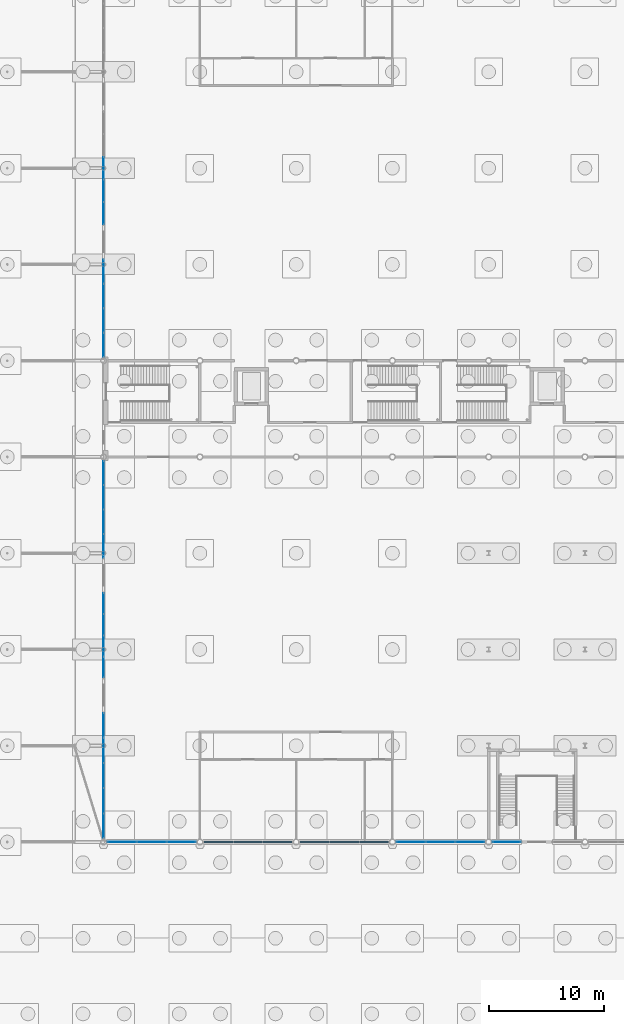
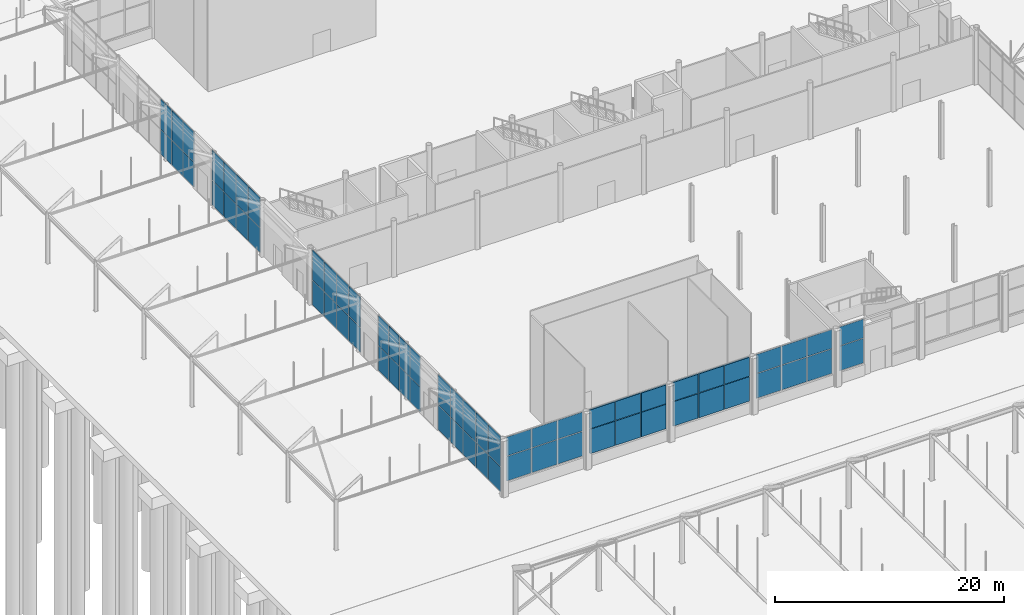
# One storey, part 172 of 212: 66 plates, 10 elements without a shape of their own.
"""IFC4 building model written with IfcOpenShell, lengths in metres."""

from ifc_helpers import new_model, si_unit, direction, frame, origin, origin_2d, place, context, subcontext, project, spatial, rectangle, extrude, material, layer, layer_set, type_object, element, aggregate, save


model = new_model("IFC4")

# Units and contexts
model_context = context("Model", 3, precision=1e-05, world=origin(), true_north=direction((0.0, 1.0)))
body_context = subcontext(model_context, "Body", "Model", "MODEL_VIEW")
ifc_project = project(units=[si_unit("LENGTHUNIT", "METRE"), si_unit("AREAUNIT", "SQUARE_METRE"), si_unit("VOLUMEUNIT", "CUBIC_METRE"), si_unit("PLANEANGLEUNIT", "RADIAN"), si_unit("MASSUNIT", "GRAM", prefix="KILO")], contexts=[model_context])

# Site, building, storey
site_placement = place(None, origin())
site = spatial("IfcSite", under=ifc_project, at=site_placement, CompositionType="ELEMENT")
building_placement = place(site_placement, origin())
building = spatial("IfcBuilding", under=site, at=building_placement, Name="Catenary Quay Ferry Terminal", CompositionType="ELEMENT")
storey_placement = place(building_placement, origin())
storey = spatial("IfcBuildingStorey", under=building, at=storey_placement, Name="L00", CompositionType="ELEMENT", Elevation=0.0)

# Curtain wall, plates
ifc_material_1 = material(Name="Aluminium and glass", Category="aluminium")
curtain_wall_type_1 = type_object("IfcCurtainWallType", Name="CWG", PredefinedType="NOTDEFINED", material=ifc_material_1)
curtain_wall_1_placement = place(storey_placement, origin())
curtain_wall_1 = element("IfcCurtainWall", 1, at=curtain_wall_1_placement, inside=storey, type_object=curtain_wall_type_1, Name="Gable arrivals hall curtain wall CW1", PredefinedType="NOTDEFINED")
ifc_material_2 = material(Name="Glass", Category="glass")
ifc_layer_1 = layer(ifc_material_2, 0.031982421875)
ifc_layer_set_1 = layer_set([ifc_layer_1], Name="PN1")
plate_type_1 = type_object("IfcPlateType", Name="PN1", PredefinedType="CURTAIN_PANEL", material=ifc_layer_set_1)
plate_1_placement = place(storey_placement, frame((25.199951171875, 68.614990234375, 0.06005859375), z_axis=(0.0, 0.0, 1.0), x_axis=(0.0, 1.0, 0.0)))
plate_1 = element("IfcPlate", 2, at=plate_1_placement, type_object=plate_type_1, Name="CW1 panel 1.1", PredefinedType="CURTAIN_PANEL", context=body_context, shape_type="SweptSolid", body=[
    extrude(rectangle(XDim=2.110107421875, YDim=0.031982421875, at=origin_2d()), origin(), (0.0, 0.0, 1.0), 2.610107421875),
])
plate_2_placement = place(storey_placement, frame((25.199951171875, 68.614990234375, 2.72998046875), z_axis=(0.0, 0.0, 1.0), x_axis=(0.0, 1.0, 0.0)))
plate_2 = element("IfcPlate", 3, at=plate_2_placement, type_object=plate_type_1, Name="CW1 panel 1.2", PredefinedType="CURTAIN_PANEL", context=body_context, shape_type="SweptSolid", body=[
    extrude(rectangle(XDim=2.110107421875, YDim=0.031982421875, at=origin_2d()), origin(), (0.0, 0.0, 1.0), 3.2099609375),
])
plate_3_placement = place(storey_placement, frame((25.199951171875, 70.800048828125, 0.06005859375), z_axis=(0.0, 0.0, 1.0), x_axis=(0.0, 1.0, 0.0)))
plate_3 = element("IfcPlate", 4, at=plate_3_placement, type_object=plate_type_1, Name="CW1 panel 2.1", PredefinedType="CURTAIN_PANEL", context=body_context, shape_type="SweptSolid", body=[
    extrude(rectangle(XDim=2.139892578125, YDim=0.031982421875, at=origin_2d()), origin(), (0.0, 0.0, 1.0), 2.610107421875),
])
plate_4_placement = place(storey_placement, frame((25.199951171875, 70.800048828125, 2.72998046875), z_axis=(0.0, 0.0, 1.0), x_axis=(0.0, 1.0, 0.0)))
plate_4 = element("IfcPlate", 5, at=plate_4_placement, type_object=plate_type_1, Name="CW1 panel 2.2", PredefinedType="CURTAIN_PANEL", context=body_context, shape_type="SweptSolid", body=[
    extrude(rectangle(XDim=2.139892578125, YDim=0.031982421875, at=origin_2d()), origin(), (0.0, 0.0, 1.0), 3.2099609375),
])
plate_5_placement = place(storey_placement, frame((25.199951171875, 73.0, 0.06005859375), z_axis=(0.0, 0.0, 1.0), x_axis=(0.0, 1.0, 0.0)))
plate_5 = element("IfcPlate", 6, at=plate_5_placement, type_object=plate_type_1, Name="CW1 panel 3.1", PredefinedType="CURTAIN_PANEL", context=body_context, shape_type="SweptSolid", body=[
    extrude(rectangle(XDim=2.139892578125, YDim=0.031982421875, at=origin_2d()), origin(), (0.0, 0.0, 1.0), 2.610107421875),
])
plate_6_placement = place(storey_placement, frame((25.199951171875, 73.0, 2.72998046875), z_axis=(0.0, 0.0, 1.0), x_axis=(0.0, 1.0, 0.0)))
plate_6 = element("IfcPlate", 7, at=plate_6_placement, type_object=plate_type_1, Name="CW1 panel 3.2", PredefinedType="CURTAIN_PANEL", context=body_context, shape_type="SweptSolid", body=[
    extrude(rectangle(XDim=2.139892578125, YDim=0.031982421875, at=origin_2d()), origin(), (0.0, 0.0, 1.0), 3.2099609375),
])
plate_7_placement = place(storey_placement, frame((25.199951171875, 75.199951171875, 0.06005859375), z_axis=(0.0, 0.0, 1.0), x_axis=(0.0, 1.0, 0.0)))
plate_7 = element("IfcPlate", 8, at=plate_7_placement, type_object=plate_type_1, Name="CW1 panel 4.1", PredefinedType="CURTAIN_PANEL", context=body_context, shape_type="SweptSolid", body=[
    extrude(rectangle(XDim=2.139892578125, YDim=0.031982421875, at=origin_2d()), origin(), (0.0, 0.0, 1.0), 2.610107421875),
])
plate_8_placement = place(storey_placement, frame((25.199951171875, 75.199951171875, 2.72998046875), z_axis=(0.0, 0.0, 1.0), x_axis=(0.0, 1.0, 0.0)))
plate_8 = element("IfcPlate", 9, at=plate_8_placement, type_object=plate_type_1, Name="CW1 panel 4.2", PredefinedType="CURTAIN_PANEL", context=body_context, shape_type="SweptSolid", body=[
    extrude(rectangle(XDim=2.139892578125, YDim=0.031982421875, at=origin_2d()), origin(), (0.0, 0.0, 1.0), 3.2099609375),
])
plate_9_placement = place(storey_placement, frame((25.199951171875, 77.385009765625, 0.06005859375), z_axis=(0.0, 0.0, 1.0), x_axis=(0.0, 1.0, 0.0)))
plate_9 = element("IfcPlate", 10, at=plate_9_placement, type_object=plate_type_1, Name="CW1 panel 5.1", PredefinedType="CURTAIN_PANEL", context=body_context, shape_type="SweptSolid", body=[
    extrude(rectangle(XDim=2.110107421875, YDim=0.031982421875, at=origin_2d()), origin(), (0.0, 0.0, 1.0), 2.610107421875),
])
plate_10_placement = place(storey_placement, frame((25.199951171875, 77.385009765625, 2.72998046875), z_axis=(0.0, 0.0, 1.0), x_axis=(0.0, 1.0, 0.0)))
plate_10 = element("IfcPlate", 11, at=plate_10_placement, type_object=plate_type_1, Name="CW1 panel 5.2", PredefinedType="CURTAIN_PANEL", context=body_context, shape_type="SweptSolid", body=[
    extrude(rectangle(XDim=2.110107421875, YDim=0.031982421875, at=origin_2d()), origin(), (0.0, 0.0, 1.0), 3.2099609375),
])
aggregate(curtain_wall_1, [plate_1, plate_2, plate_3, plate_4, plate_5, plate_6, plate_7, plate_8, plate_9, plate_10])

curtain_wall_2_placement = place(storey_placement, origin())
curtain_wall_2 = element("IfcCurtainWall", 12, at=curtain_wall_2_placement, inside=storey, type_object=curtain_wall_type_1, Name="Gable arrivals hall curtain wall CW2", PredefinedType="NOTDEFINED")
plate_11_placement = place(storey_placement, frame((25.199951171875, 82.4462890625, 0.06005859375), z_axis=(0.0, 0.0, 1.0), x_axis=(0.0, 1.0, 0.0)))
plate_11 = element("IfcPlate", 13, at=plate_11_placement, type_object=plate_type_1, Name="CW2 panel 1.1", PredefinedType="CURTAIN_PANEL", context=body_context, shape_type="SweptSolid", body=[
    extrude(rectangle(XDim=1.7724609375, YDim=0.031982421875, at=origin_2d()), origin(), (0.0, 0.0, 1.0), 2.610107421875),
])
plate_12_placement = place(storey_placement, frame((25.199951171875, 82.4462890625, 2.72998046875), z_axis=(0.0, 0.0, 1.0), x_axis=(0.0, 1.0, 0.0)))
plate_12 = element("IfcPlate", 14, at=plate_12_placement, type_object=plate_type_1, Name="CW2 panel 1.2", PredefinedType="CURTAIN_PANEL", context=body_context, shape_type="SweptSolid", body=[
    extrude(rectangle(XDim=1.7724609375, YDim=0.031982421875, at=origin_2d()), origin(), (0.0, 0.0, 1.0), 3.2099609375),
])
plate_13_placement = place(storey_placement, frame((25.199951171875, 84.293701171875, 0.06005859375), z_axis=(0.0, 0.0, 1.0), x_axis=(0.0, 1.0, 0.0)))
plate_13 = element("IfcPlate", 15, at=plate_13_placement, type_object=plate_type_1, Name="CW2 panel 2.1", PredefinedType="CURTAIN_PANEL", context=body_context, shape_type="SweptSolid", body=[
    extrude(rectangle(XDim=1.802490234375, YDim=0.031982421875, at=origin_2d()), origin(), (0.0, 0.0, 1.0), 2.610107421875),
])
plate_14_placement = place(storey_placement, frame((25.199951171875, 84.293701171875, 2.72998046875), z_axis=(0.0, 0.0, 1.0), x_axis=(0.0, 1.0, 0.0)))
plate_14 = element("IfcPlate", 16, at=plate_14_placement, type_object=plate_type_1, Name="CW2 panel 2.2", PredefinedType="CURTAIN_PANEL", context=body_context, shape_type="SweptSolid", body=[
    extrude(rectangle(XDim=1.802490234375, YDim=0.031982421875, at=origin_2d()), origin(), (0.0, 0.0, 1.0), 3.2099609375),
])
plate_15_placement = place(storey_placement, frame((25.199951171875, 86.15625, 0.06005859375), z_axis=(0.0, 0.0, 1.0), x_axis=(0.0, 1.0, 0.0)))
plate_15 = element("IfcPlate", 17, at=plate_15_placement, type_object=plate_type_1, Name="CW2 panel 3.1", PredefinedType="CURTAIN_PANEL", context=body_context, shape_type="SweptSolid", body=[
    extrude(rectangle(XDim=1.802490234375, YDim=0.031982421875, at=origin_2d()), origin(), (0.0, 0.0, 1.0), 2.610107421875),
])
plate_16_placement = place(storey_placement, frame((25.199951171875, 86.15625, 2.72998046875), z_axis=(0.0, 0.0, 1.0), x_axis=(0.0, 1.0, 0.0)))
plate_16 = element("IfcPlate", 18, at=plate_16_placement, type_object=plate_type_1, Name="CW2 panel 3.2", PredefinedType="CURTAIN_PANEL", context=body_context, shape_type="SweptSolid", body=[
    extrude(rectangle(XDim=1.802490234375, YDim=0.031982421875, at=origin_2d()), origin(), (0.0, 0.0, 1.0), 3.2099609375),
])
plate_17_placement = place(storey_placement, frame((25.199951171875, 88.003662109375, 0.06005859375), z_axis=(0.0, 0.0, 1.0), x_axis=(0.0, 1.0, 0.0)))
plate_17 = element("IfcPlate", 19, at=plate_17_placement, type_object=plate_type_1, Name="CW2 panel 4.1", PredefinedType="CURTAIN_PANEL", context=body_context, shape_type="SweptSolid", body=[
    extrude(rectangle(XDim=1.7724609375, YDim=0.031982421875, at=origin_2d()), origin(), (0.0, 0.0, 1.0), 2.610107421875),
])
plate_18_placement = place(storey_placement, frame((25.199951171875, 88.003662109375, 2.72998046875), z_axis=(0.0, 0.0, 1.0), x_axis=(0.0, 1.0, 0.0)))
plate_18 = element("IfcPlate", 20, at=plate_18_placement, type_object=plate_type_1, Name="CW2 panel 4.2", PredefinedType="CURTAIN_PANEL", context=body_context, shape_type="SweptSolid", body=[
    extrude(rectangle(XDim=1.7724609375, YDim=0.031982421875, at=origin_2d()), origin(), (0.0, 0.0, 1.0), 3.2099609375),
])
aggregate(curtain_wall_2, [plate_11, plate_12, plate_13, plate_14, plate_15, plate_16, plate_17, plate_18])

curtain_wall_3_placement = place(storey_placement, origin())
curtain_wall_3 = element("IfcCurtainWall", 21, at=curtain_wall_3_placement, inside=storey, type_object=curtain_wall_type_1, Name="Gable arrivals hall curtain wall CW3", PredefinedType="NOTDEFINED")
plate_19_placement = place(storey_placement, frame((25.199951171875, 93.03369140625, 0.06005859375), z_axis=(0.0, 0.0, 1.0), x_axis=(0.0, 1.0, 0.0)))
plate_19 = element("IfcPlate", 22, at=plate_19_placement, type_object=plate_type_1, Name="CW3 panel 1.1", PredefinedType="CURTAIN_PANEL", context=body_context, shape_type="SweptSolid", body=[
    extrude(rectangle(XDim=2.047607421875, YDim=0.031982421875, at=origin_2d()), origin(), (0.0, 0.0, 1.0), 2.610107421875),
])
plate_20_placement = place(storey_placement, frame((25.199951171875, 93.03369140625, 2.72998046875), z_axis=(0.0, 0.0, 1.0), x_axis=(0.0, 1.0, 0.0)))
plate_20 = element("IfcPlate", 23, at=plate_20_placement, type_object=plate_type_1, Name="CW3 panel 1.2", PredefinedType="CURTAIN_PANEL", context=body_context, shape_type="SweptSolid", body=[
    extrude(rectangle(XDim=2.047607421875, YDim=0.031982421875, at=origin_2d()), origin(), (0.0, 0.0, 1.0), 3.2099609375),
])
plate_21_placement = place(storey_placement, frame((25.199951171875, 95.15625, 0.06005859375), z_axis=(0.0, 0.0, 1.0), x_axis=(0.0, 1.0, 0.0)))
plate_21 = element("IfcPlate", 24, at=plate_21_placement, type_object=plate_type_1, Name="CW3 panel 2.1", PredefinedType="CURTAIN_PANEL", context=body_context, shape_type="SweptSolid", body=[
    extrude(rectangle(XDim=2.077392578125, YDim=0.031982421875, at=origin_2d()), origin(), (0.0, 0.0, 1.0), 2.610107421875),
])
plate_22_placement = place(storey_placement, frame((25.199951171875, 95.15625, 2.72998046875), z_axis=(0.0, 0.0, 1.0), x_axis=(0.0, 1.0, 0.0)))
plate_22 = element("IfcPlate", 25, at=plate_22_placement, type_object=plate_type_1, Name="CW3 panel 2.2", PredefinedType="CURTAIN_PANEL", context=body_context, shape_type="SweptSolid", body=[
    extrude(rectangle(XDim=2.077392578125, YDim=0.031982421875, at=origin_2d()), origin(), (0.0, 0.0, 1.0), 3.2099609375),
])
plate_23_placement = place(storey_placement, frame((25.199951171875, 97.293701171875, 0.06005859375), z_axis=(0.0, 0.0, 1.0), x_axis=(0.0, 1.0, 0.0)))
plate_23 = element("IfcPlate", 26, at=plate_23_placement, type_object=plate_type_1, Name="CW3 panel 3.1", PredefinedType="CURTAIN_PANEL", context=body_context, shape_type="SweptSolid", body=[
    extrude(rectangle(XDim=2.077392578125, YDim=0.031982421875, at=origin_2d()), origin(), (0.0, 0.0, 1.0), 2.610107421875),
])
plate_24_placement = place(storey_placement, frame((25.199951171875, 97.293701171875, 2.72998046875), z_axis=(0.0, 0.0, 1.0), x_axis=(0.0, 1.0, 0.0)))
plate_24 = element("IfcPlate", 27, at=plate_24_placement, type_object=plate_type_1, Name="CW3 panel 3.2", PredefinedType="CURTAIN_PANEL", context=body_context, shape_type="SweptSolid", body=[
    extrude(rectangle(XDim=2.077392578125, YDim=0.031982421875, at=origin_2d()), origin(), (0.0, 0.0, 1.0), 3.2099609375),
])
plate_25_placement = place(storey_placement, frame((25.199951171875, 99.416259765625, 0.06005859375), z_axis=(0.0, 0.0, 1.0), x_axis=(0.0, 1.0, 0.0)))
plate_25 = element("IfcPlate", 28, at=plate_25_placement, type_object=plate_type_1, Name="CW3 panel 4.1", PredefinedType="CURTAIN_PANEL", context=body_context, shape_type="SweptSolid", body=[
    extrude(rectangle(XDim=2.047607421875, YDim=0.031982421875, at=origin_2d()), origin(), (0.0, 0.0, 1.0), 2.610107421875),
])
plate_26_placement = place(storey_placement, frame((25.199951171875, 99.416259765625, 2.72998046875), z_axis=(0.0, 0.0, 1.0), x_axis=(0.0, 1.0, 0.0)))
plate_26 = element("IfcPlate", 29, at=plate_26_placement, type_object=plate_type_1, Name="CW3 panel 4.2", PredefinedType="CURTAIN_PANEL", context=body_context, shape_type="SweptSolid", body=[
    extrude(rectangle(XDim=2.047607421875, YDim=0.031982421875, at=origin_2d()), origin(), (0.0, 0.0, 1.0), 3.2099609375),
])
aggregate(curtain_wall_3, [plate_19, plate_20, plate_21, plate_22, plate_23, plate_24, plate_25, plate_26])

curtain_wall_4_placement = place(storey_placement, origin())
curtain_wall_4 = element("IfcCurtainWall", 30, at=curtain_wall_4_placement, inside=storey, type_object=curtain_wall_type_1, Name="Gable departure hall curtain wall CW13", PredefinedType="NOTDEFINED")
plate_27_placement = place(storey_placement, frame((25.199951171875, 110.583740234375, 0.06005859375), z_axis=(0.0, 0.0, 1.0), x_axis=(0.0, 1.0, 0.0)))
plate_27 = element("IfcPlate", 31, at=plate_27_placement, type_object=plate_type_1, Name="CW13 panel 1.1", PredefinedType="CURTAIN_PANEL", context=body_context, shape_type="SweptSolid", body=[
    extrude(rectangle(XDim=2.047607421875, YDim=0.031982421875, at=origin_2d()), origin(), (0.0, 0.0, 1.0), 2.610107421875),
])
plate_28_placement = place(storey_placement, frame((25.199951171875, 110.583740234375, 2.72998046875), z_axis=(0.0, 0.0, 1.0), x_axis=(0.0, 1.0, 0.0)))
plate_28 = element("IfcPlate", 32, at=plate_28_placement, type_object=plate_type_1, Name="CW13 panel 1.2", PredefinedType="CURTAIN_PANEL", context=body_context, shape_type="SweptSolid", body=[
    extrude(rectangle(XDim=2.047607421875, YDim=0.031982421875, at=origin_2d()), origin(), (0.0, 0.0, 1.0), 3.2099609375),
])
plate_29_placement = place(storey_placement, frame((25.199951171875, 112.706298828125, 0.06005859375), z_axis=(0.0, 0.0, 1.0), x_axis=(0.0, 1.0, 0.0)))
plate_29 = element("IfcPlate", 33, at=plate_29_placement, type_object=plate_type_1, Name="CW13 panel 2.1", PredefinedType="CURTAIN_PANEL", context=body_context, shape_type="SweptSolid", body=[
    extrude(rectangle(XDim=2.077392578125, YDim=0.031982421875, at=origin_2d()), origin(), (0.0, 0.0, 1.0), 2.610107421875),
])
plate_30_placement = place(storey_placement, frame((25.199951171875, 112.706298828125, 2.72998046875), z_axis=(0.0, 0.0, 1.0), x_axis=(0.0, 1.0, 0.0)))
plate_30 = element("IfcPlate", 34, at=plate_30_placement, type_object=plate_type_1, Name="CW13 panel 2.2", PredefinedType="CURTAIN_PANEL", context=body_context, shape_type="SweptSolid", body=[
    extrude(rectangle(XDim=2.077392578125, YDim=0.031982421875, at=origin_2d()), origin(), (0.0, 0.0, 1.0), 3.2099609375),
])
plate_31_placement = place(storey_placement, frame((25.199951171875, 114.84375, 0.06005859375), z_axis=(0.0, 0.0, 1.0), x_axis=(0.0, 1.0, 0.0)))
plate_31 = element("IfcPlate", 35, at=plate_31_placement, type_object=plate_type_1, Name="CW13 panel 3.1", PredefinedType="CURTAIN_PANEL", context=body_context, shape_type="SweptSolid", body=[
    extrude(rectangle(XDim=2.077392578125, YDim=0.031982421875, at=origin_2d()), origin(), (0.0, 0.0, 1.0), 2.610107421875),
])
plate_32_placement = place(storey_placement, frame((25.199951171875, 114.84375, 2.72998046875), z_axis=(0.0, 0.0, 1.0), x_axis=(0.0, 1.0, 0.0)))
plate_32 = element("IfcPlate", 36, at=plate_32_placement, type_object=plate_type_1, Name="CW13 panel 3.2", PredefinedType="CURTAIN_PANEL", context=body_context, shape_type="SweptSolid", body=[
    extrude(rectangle(XDim=2.077392578125, YDim=0.031982421875, at=origin_2d()), origin(), (0.0, 0.0, 1.0), 3.2099609375),
])
plate_33_placement = place(storey_placement, frame((25.199951171875, 116.96630859375, 0.06005859375), z_axis=(0.0, 0.0, 1.0), x_axis=(0.0, 1.0, 0.0)))
plate_33 = element("IfcPlate", 37, at=plate_33_placement, type_object=plate_type_1, Name="CW13 panel 4.1", PredefinedType="CURTAIN_PANEL", context=body_context, shape_type="SweptSolid", body=[
    extrude(rectangle(XDim=2.047607421875, YDim=0.031982421875, at=origin_2d()), origin(), (0.0, 0.0, 1.0), 2.610107421875),
])
plate_34_placement = place(storey_placement, frame((25.199951171875, 116.96630859375, 2.72998046875), z_axis=(0.0, 0.0, 1.0), x_axis=(0.0, 1.0, 0.0)))
plate_34 = element("IfcPlate", 38, at=plate_34_placement, type_object=plate_type_1, Name="CW13 panel 4.2", PredefinedType="CURTAIN_PANEL", context=body_context, shape_type="SweptSolid", body=[
    extrude(rectangle(XDim=2.047607421875, YDim=0.031982421875, at=origin_2d()), origin(), (0.0, 0.0, 1.0), 3.2099609375),
])
aggregate(curtain_wall_4, [plate_27, plate_28, plate_29, plate_30, plate_31, plate_32, plate_33, plate_34])

curtain_wall_5_placement = place(storey_placement, origin())
curtain_wall_5 = element("IfcCurtainWall", 39, at=curtain_wall_5_placement, inside=storey, type_object=curtain_wall_type_1, Name="Gable departure hall curtain wall CW14", PredefinedType="NOTDEFINED")
plate_35_placement = place(storey_placement, frame((25.199951171875, 122.054931640625, 0.06005859375), z_axis=(0.0, 0.0, 1.0), x_axis=(0.0, 1.0, 0.0)))
plate_35 = element("IfcPlate", 40, at=plate_35_placement, type_object=plate_type_1, Name="CW14 panel 1.1", PredefinedType="CURTAIN_PANEL", context=body_context, shape_type="SweptSolid", body=[
    extrude(rectangle(XDim=1.889892578125, YDim=0.031982421875, at=origin_2d()), origin(), (0.0, 0.0, 1.0), 2.610107421875),
])
plate_36_placement = place(storey_placement, frame((25.199951171875, 122.054931640625, 2.72998046875), z_axis=(0.0, 0.0, 1.0), x_axis=(0.0, 1.0, 0.0)))
plate_36 = element("IfcPlate", 41, at=plate_36_placement, type_object=plate_type_1, Name="CW14 panel 1.2", PredefinedType="CURTAIN_PANEL", context=body_context, shape_type="SweptSolid", body=[
    extrude(rectangle(XDim=1.889892578125, YDim=0.031982421875, at=origin_2d()), origin(), (0.0, 0.0, 1.0), 3.2099609375),
])
plate_37_placement = place(storey_placement, frame((25.199951171875, 124.02001953125, 0.06005859375), z_axis=(0.0, 0.0, 1.0), x_axis=(0.0, 1.0, 0.0)))
plate_37 = element("IfcPlate", 42, at=plate_37_placement, type_object=plate_type_1, Name="CW14 panel 2.1", PredefinedType="CURTAIN_PANEL", context=body_context, shape_type="SweptSolid", body=[
    extrude(rectangle(XDim=1.919921875, YDim=0.031982421875, at=origin_2d()), origin(), (0.0, 0.0, 1.0), 2.610107421875),
])
plate_38_placement = place(storey_placement, frame((25.199951171875, 124.02001953125, 2.72998046875), z_axis=(0.0, 0.0, 1.0), x_axis=(0.0, 1.0, 0.0)))
plate_38 = element("IfcPlate", 43, at=plate_38_placement, type_object=plate_type_1, Name="CW14 panel 2.2", PredefinedType="CURTAIN_PANEL", context=body_context, shape_type="SweptSolid", body=[
    extrude(rectangle(XDim=1.919921875, YDim=0.031982421875, at=origin_2d()), origin(), (0.0, 0.0, 1.0), 3.2099609375),
])
plate_39_placement = place(storey_placement, frame((25.199951171875, 126.0, 0.06005859375), z_axis=(0.0, 0.0, 1.0), x_axis=(0.0, 1.0, 0.0)))
plate_39 = element("IfcPlate", 44, at=plate_39_placement, type_object=plate_type_1, Name="CW14 panel 3.1", PredefinedType="CURTAIN_PANEL", context=body_context, shape_type="SweptSolid", body=[
    extrude(rectangle(XDim=1.919921875, YDim=0.031982421875, at=origin_2d()), origin(), (0.0, 0.0, 1.0), 2.610107421875),
])
plate_40_placement = place(storey_placement, frame((25.199951171875, 126.0, 2.72998046875), z_axis=(0.0, 0.0, 1.0), x_axis=(0.0, 1.0, 0.0)))
plate_40 = element("IfcPlate", 45, at=plate_40_placement, type_object=plate_type_1, Name="CW14 panel 3.2", PredefinedType="CURTAIN_PANEL", context=body_context, shape_type="SweptSolid", body=[
    extrude(rectangle(XDim=1.919921875, YDim=0.031982421875, at=origin_2d()), origin(), (0.0, 0.0, 1.0), 3.2099609375),
])
aggregate(curtain_wall_5, [plate_35, plate_36, plate_37, plate_38, plate_39, plate_40])

ifc_material_3 = material(Name="Aluminium and glass", Category="aluminium")
curtain_wall_type_2 = type_object("IfcCurtainWallType", Name="CWH", PredefinedType="NOTDEFINED", material=ifc_material_3)
curtain_wall_6_placement = place(storey_placement, origin())
curtain_wall_6 = element("IfcCurtainWall", 46, at=curtain_wall_6_placement, inside=storey, type_object=curtain_wall_type_2, Name="Hall curtain wall CW22", PredefinedType="NOTDEFINED")
ifc_material_4 = material(Name="Glass", Category="glass")
ifc_layer_2 = layer(ifc_material_4, 0.0400390625)
ifc_layer_set_2 = layer_set([ifc_layer_2], Name="PN2")
plate_type_2 = type_object("IfcPlateType", Name="PN2", PredefinedType="CURTAIN_PANEL", material=ifc_layer_set_2)
plate_41_placement = place(storey_placement, frame((26.8173828125, 67.199951171875, 1.259765625), z_axis=(0.0, 0.0, 1.0), x_axis=(1.0, 0.0, 0.0)))
plate_41 = element("IfcPlate", 47, at=plate_41_placement, type_object=plate_type_2, Name="CW22 panel 1.1", PredefinedType="CURTAIN_PANEL", context=body_context, shape_type="SweptSolid", body=[
    extrude(rectangle(XDim=2.4951171875, YDim=0.0400390625, at=origin_2d()), origin(), (0.0, 0.0, 1.0), 2.610107421875),
])
plate_42_placement = place(storey_placement, frame((26.8173828125, 67.199951171875, 3.93017578125), z_axis=(0.0, 0.0, 1.0), x_axis=(1.0, 0.0, 0.0)))
plate_42 = element("IfcPlate", 48, at=plate_42_placement, type_object=plate_type_2, Name="CW22 panel 1.2", PredefinedType="CURTAIN_PANEL", context=body_context, shape_type="SweptSolid", body=[
    extrude(rectangle(XDim=2.4951171875, YDim=0.0400390625, at=origin_2d()), origin(), (0.0, 0.0, 1.0), 2.010009765625),
])
plate_43_placement = place(storey_placement, frame((29.39990234375, 67.199951171875, 1.259765625), z_axis=(0.0, 0.0, 1.0), x_axis=(1.0, 0.0, 0.0)))
plate_43 = element("IfcPlate", 49, at=plate_43_placement, type_object=plate_type_2, Name="CW22 panel 2.1", PredefinedType="CURTAIN_PANEL", context=body_context, shape_type="SweptSolid", body=[
    extrude(rectangle(XDim=2.530029296875, YDim=0.0400390625, at=origin_2d()), origin(), (0.0, 0.0, 1.0), 2.610107421875),
])
plate_44_placement = place(storey_placement, frame((29.39990234375, 67.199951171875, 3.93017578125), z_axis=(0.0, 0.0, 1.0), x_axis=(1.0, 0.0, 0.0)))
plate_44 = element("IfcPlate", 50, at=plate_44_placement, type_object=plate_type_2, Name="CW22 panel 2.2", PredefinedType="CURTAIN_PANEL", context=body_context, shape_type="SweptSolid", body=[
    extrude(rectangle(XDim=2.530029296875, YDim=0.0400390625, at=origin_2d()), origin(), (0.0, 0.0, 1.0), 2.010009765625),
])
plate_45_placement = place(storey_placement, frame((31.982421875, 67.199951171875, 1.259765625), z_axis=(0.0, 0.0, 1.0), x_axis=(1.0, 0.0, 0.0)))
plate_45 = element("IfcPlate", 51, at=plate_45_placement, type_object=plate_type_2, Name="CW22 panel 3.1", PredefinedType="CURTAIN_PANEL", context=body_context, shape_type="SweptSolid", body=[
    extrude(rectangle(XDim=2.4951171875, YDim=0.0400390625, at=origin_2d()), origin(), (0.0, 0.0, 1.0), 2.610107421875),
])
plate_46_placement = place(storey_placement, frame((31.982421875, 67.199951171875, 3.93017578125), z_axis=(0.0, 0.0, 1.0), x_axis=(1.0, 0.0, 0.0)))
plate_46 = element("IfcPlate", 52, at=plate_46_placement, type_object=plate_type_2, Name="CW22 panel 3.2", PredefinedType="CURTAIN_PANEL", context=body_context, shape_type="SweptSolid", body=[
    extrude(rectangle(XDim=2.4951171875, YDim=0.0400390625, at=origin_2d()), origin(), (0.0, 0.0, 1.0), 2.010009765625),
])
aggregate(curtain_wall_6, [plate_41, plate_42, plate_43, plate_44, plate_45, plate_46])

curtain_wall_7_placement = place(storey_placement, origin())
curtain_wall_7 = element("IfcCurtainWall", 53, at=curtain_wall_7_placement, inside=storey, type_object=curtain_wall_type_2, Name="Hall curtain wall CW25", PredefinedType="NOTDEFINED")
plate_47_placement = place(storey_placement, frame((52.017578125, 67.199951171875, 1.259765625), z_axis=(0.0, 0.0, 1.0), x_axis=(1.0, 0.0, 0.0)))
plate_47 = element("IfcPlate", 54, at=plate_47_placement, type_object=plate_type_2, Name="CW25 panel 1.1", PredefinedType="CURTAIN_PANEL", context=body_context, shape_type="SweptSolid", body=[
    extrude(rectangle(XDim=2.4951171875, YDim=0.0400390625, at=origin_2d()), origin(), (0.0, 0.0, 1.0), 2.610107421875),
])
plate_48_placement = place(storey_placement, frame((52.017578125, 67.199951171875, 3.93017578125), z_axis=(0.0, 0.0, 1.0), x_axis=(1.0, 0.0, 0.0)))
plate_48 = element("IfcPlate", 55, at=plate_48_placement, type_object=plate_type_2, Name="CW25 panel 1.2", PredefinedType="CURTAIN_PANEL", context=body_context, shape_type="SweptSolid", body=[
    extrude(rectangle(XDim=2.4951171875, YDim=0.0400390625, at=origin_2d()), origin(), (0.0, 0.0, 1.0), 2.010009765625),
])
plate_49_placement = place(storey_placement, frame((54.60009765625, 67.199951171875, 1.259765625), z_axis=(0.0, 0.0, 1.0), x_axis=(1.0, 0.0, 0.0)))
plate_49 = element("IfcPlate", 56, at=plate_49_placement, type_object=plate_type_2, Name="CW25 panel 2.1", PredefinedType="CURTAIN_PANEL", context=body_context, shape_type="SweptSolid", body=[
    extrude(rectangle(XDim=2.530029296875, YDim=0.0400390625, at=origin_2d()), origin(), (0.0, 0.0, 1.0), 2.610107421875),
])
plate_50_placement = place(storey_placement, frame((54.60009765625, 67.199951171875, 3.93017578125), z_axis=(0.0, 0.0, 1.0), x_axis=(1.0, 0.0, 0.0)))
plate_50 = element("IfcPlate", 57, at=plate_50_placement, type_object=plate_type_2, Name="CW25 panel 2.2", PredefinedType="CURTAIN_PANEL", context=body_context, shape_type="SweptSolid", body=[
    extrude(rectangle(XDim=2.530029296875, YDim=0.0400390625, at=origin_2d()), origin(), (0.0, 0.0, 1.0), 2.010009765625),
])
plate_51_placement = place(storey_placement, frame((57.1826171875, 67.199951171875, 1.259765625), z_axis=(0.0, 0.0, 1.0), x_axis=(1.0, 0.0, 0.0)))
plate_51 = element("IfcPlate", 58, at=plate_51_placement, type_object=plate_type_2, Name="CW25 panel 3.1", PredefinedType="CURTAIN_PANEL", context=body_context, shape_type="SweptSolid", body=[
    extrude(rectangle(XDim=2.4951171875, YDim=0.0400390625, at=origin_2d()), origin(), (0.0, 0.0, 1.0), 2.610107421875),
])
plate_52_placement = place(storey_placement, frame((57.1826171875, 67.199951171875, 3.93017578125), z_axis=(0.0, 0.0, 1.0), x_axis=(1.0, 0.0, 0.0)))
plate_52 = element("IfcPlate", 59, at=plate_52_placement, type_object=plate_type_2, Name="CW25 panel 3.2", PredefinedType="CURTAIN_PANEL", context=body_context, shape_type="SweptSolid", body=[
    extrude(rectangle(XDim=2.4951171875, YDim=0.0400390625, at=origin_2d()), origin(), (0.0, 0.0, 1.0), 2.010009765625),
])
aggregate(curtain_wall_7, [plate_47, plate_48, plate_49, plate_50, plate_51, plate_52])

curtain_wall_8_placement = place(storey_placement, origin())
curtain_wall_8 = element("IfcCurtainWall", 60, at=curtain_wall_8_placement, inside=storey, type_object=curtain_wall_type_2, Name="Hall curtain wall CW26", PredefinedType="NOTDEFINED")
plate_53_placement = place(storey_placement, frame((60.375, 67.199951171875, 1.259765625), z_axis=(0.0, 0.0, 1.0), x_axis=(1.0, 0.0, 0.0)))
plate_53 = element("IfcPlate", 61, at=plate_53_placement, type_object=plate_type_2, Name="CW26 panel 1.1", PredefinedType="CURTAIN_PANEL", context=body_context, shape_type="SweptSolid", body=[
    extrude(rectangle(XDim=2.409912109375, YDim=0.0400390625, at=origin_2d()), origin(), (0.0, 0.0, 1.0), 2.610107421875),
])
plate_54_placement = place(storey_placement, frame((60.375, 67.199951171875, 3.93017578125), z_axis=(0.0, 0.0, 1.0), x_axis=(1.0, 0.0, 0.0)))
plate_54 = element("IfcPlate", 62, at=plate_54_placement, type_object=plate_type_2, Name="CW26 panel 1.2", PredefinedType="CURTAIN_PANEL", context=body_context, shape_type="SweptSolid", body=[
    extrude(rectangle(XDim=2.409912109375, YDim=0.0400390625, at=origin_2d()), origin(), (0.0, 0.0, 1.0), 2.010009765625),
])
aggregate(curtain_wall_8, [plate_53, plate_54])

ifc_material_5 = material(Name="Aluminium and glass", Category="aluminium")
curtain_wall_type_3 = type_object("IfcCurtainWallType", Name="CWW4", PredefinedType="NOTDEFINED", material=ifc_material_5)
curtain_wall_9_placement = place(storey_placement, origin())
curtain_wall_9 = element("IfcCurtainWall", 63, at=curtain_wall_9_placement, inside=storey, type_object=curtain_wall_type_3, Name="Hall curtain wall CW23", PredefinedType="NOTDEFINED")
ifc_material_6 = material(Name="Ceramic tile facing on insulated backing")
ifc_layer_3 = layer(ifc_material_6, 0.14990234375)
ifc_layer_set_3 = layer_set([ifc_layer_3], Name="PN7")
plate_type_3 = type_object("IfcPlateType", Name="PN7", PredefinedType="CURTAIN_PANEL", material=ifc_layer_set_3)
plate_55_placement = place(storey_placement, frame((35.217529296875, 67.199951171875, 1.259765625), z_axis=(0.0, 0.0, 1.0), x_axis=(1.0, 0.0, 0.0)))
plate_55 = element("IfcPlate", 64, at=plate_55_placement, type_object=plate_type_3, Name="CW23 panel 1.1", PredefinedType="CURTAIN_PANEL", context=body_context, shape_type="SweptSolid", body=[
    extrude(rectangle(XDim=2.4951171875, YDim=0.14990234375, at=origin_2d()), origin(), (0.0, 0.0, 1.0), 2.610107421875),
])
plate_56_placement = place(storey_placement, frame((35.217529296875, 67.199951171875, 3.93017578125), z_axis=(0.0, 0.0, 1.0), x_axis=(1.0, 0.0, 0.0)))
plate_56 = element("IfcPlate", 65, at=plate_56_placement, type_object=plate_type_3, Name="CW23 panel 1.2", PredefinedType="CURTAIN_PANEL", context=body_context, shape_type="SweptSolid", body=[
    extrude(rectangle(XDim=2.4951171875, YDim=0.14990234375, at=origin_2d()), origin(), (0.0, 0.0, 1.0), 2.010009765625),
])
plate_57_placement = place(storey_placement, frame((37.800048828125, 67.199951171875, 1.259765625), z_axis=(0.0, 0.0, 1.0), x_axis=(1.0, 0.0, 0.0)))
plate_57 = element("IfcPlate", 66, at=plate_57_placement, type_object=plate_type_3, Name="CW23 panel 2.1", PredefinedType="CURTAIN_PANEL", context=body_context, shape_type="SweptSolid", body=[
    extrude(rectangle(XDim=2.530029296875, YDim=0.14990234375, at=origin_2d()), origin(), (0.0, 0.0, 1.0), 2.610107421875),
])
plate_58_placement = place(storey_placement, frame((37.800048828125, 67.199951171875, 3.93017578125), z_axis=(0.0, 0.0, 1.0), x_axis=(1.0, 0.0, 0.0)))
plate_58 = element("IfcPlate", 67, at=plate_58_placement, type_object=plate_type_3, Name="CW23 panel 2.2", PredefinedType="CURTAIN_PANEL", context=body_context, shape_type="SweptSolid", body=[
    extrude(rectangle(XDim=2.530029296875, YDim=0.14990234375, at=origin_2d()), origin(), (0.0, 0.0, 1.0), 2.010009765625),
])
plate_59_placement = place(storey_placement, frame((40.382568359375, 67.199951171875, 1.259765625), z_axis=(0.0, 0.0, 1.0), x_axis=(1.0, 0.0, 0.0)))
plate_59 = element("IfcPlate", 68, at=plate_59_placement, type_object=plate_type_3, Name="CW23 panel 3.1", PredefinedType="CURTAIN_PANEL", context=body_context, shape_type="SweptSolid", body=[
    extrude(rectangle(XDim=2.4951171875, YDim=0.14990234375, at=origin_2d()), origin(), (0.0, 0.0, 1.0), 2.610107421875),
])
plate_60_placement = place(storey_placement, frame((40.382568359375, 67.199951171875, 3.93017578125), z_axis=(0.0, 0.0, 1.0), x_axis=(1.0, 0.0, 0.0)))
plate_60 = element("IfcPlate", 69, at=plate_60_placement, type_object=plate_type_3, Name="CW23 panel 3.2", PredefinedType="CURTAIN_PANEL", context=body_context, shape_type="SweptSolid", body=[
    extrude(rectangle(XDim=2.4951171875, YDim=0.14990234375, at=origin_2d()), origin(), (0.0, 0.0, 1.0), 2.010009765625),
])
aggregate(curtain_wall_9, [plate_55, plate_56, plate_57, plate_58, plate_59, plate_60])

curtain_wall_10_placement = place(storey_placement, origin())
curtain_wall_10 = element("IfcCurtainWall", 70, at=curtain_wall_10_placement, inside=storey, type_object=curtain_wall_type_3, Name="Hall curtain wall CW24", PredefinedType="NOTDEFINED")
plate_61_placement = place(storey_placement, frame((43.617431640625, 67.199951171875, 1.259765625), z_axis=(0.0, 0.0, 1.0), x_axis=(1.0, 0.0, 0.0)))
plate_61 = element("IfcPlate", 71, at=plate_61_placement, type_object=plate_type_3, Name="CW24 panel 1.1", PredefinedType="CURTAIN_PANEL", context=body_context, shape_type="SweptSolid", body=[
    extrude(rectangle(XDim=2.4951171875, YDim=0.14990234375, at=origin_2d()), origin(), (0.0, 0.0, 1.0), 2.610107421875),
])
plate_62_placement = place(storey_placement, frame((43.617431640625, 67.199951171875, 3.93017578125), z_axis=(0.0, 0.0, 1.0), x_axis=(1.0, 0.0, 0.0)))
plate_62 = element("IfcPlate", 72, at=plate_62_placement, type_object=plate_type_3, Name="CW24 panel 1.2", PredefinedType="CURTAIN_PANEL", context=body_context, shape_type="SweptSolid", body=[
    extrude(rectangle(XDim=2.4951171875, YDim=0.14990234375, at=origin_2d()), origin(), (0.0, 0.0, 1.0), 2.010009765625),
])
plate_63_placement = place(storey_placement, frame((46.199951171875, 67.199951171875, 1.259765625), z_axis=(0.0, 0.0, 1.0), x_axis=(1.0, 0.0, 0.0)))
plate_63 = element("IfcPlate", 73, at=plate_63_placement, type_object=plate_type_3, Name="CW24 panel 2.1", PredefinedType="CURTAIN_PANEL", context=body_context, shape_type="SweptSolid", body=[
    extrude(rectangle(XDim=2.530029296875, YDim=0.14990234375, at=origin_2d()), origin(), (0.0, 0.0, 1.0), 2.610107421875),
])
plate_64_placement = place(storey_placement, frame((46.199951171875, 67.199951171875, 3.93017578125), z_axis=(0.0, 0.0, 1.0), x_axis=(1.0, 0.0, 0.0)))
plate_64 = element("IfcPlate", 74, at=plate_64_placement, type_object=plate_type_3, Name="CW24 panel 2.2", PredefinedType="CURTAIN_PANEL", context=body_context, shape_type="SweptSolid", body=[
    extrude(rectangle(XDim=2.530029296875, YDim=0.14990234375, at=origin_2d()), origin(), (0.0, 0.0, 1.0), 2.010009765625),
])
plate_65_placement = place(storey_placement, frame((48.782470703125, 67.199951171875, 1.259765625), z_axis=(0.0, 0.0, 1.0), x_axis=(1.0, 0.0, 0.0)))
plate_65 = element("IfcPlate", 75, at=plate_65_placement, type_object=plate_type_3, Name="CW24 panel 3.1", PredefinedType="CURTAIN_PANEL", context=body_context, shape_type="SweptSolid", body=[
    extrude(rectangle(XDim=2.4951171875, YDim=0.14990234375, at=origin_2d()), origin(), (0.0, 0.0, 1.0), 2.610107421875),
])
plate_66_placement = place(storey_placement, frame((48.782470703125, 67.199951171875, 3.93017578125), z_axis=(0.0, 0.0, 1.0), x_axis=(1.0, 0.0, 0.0)))
plate_66 = element("IfcPlate", 76, at=plate_66_placement, type_object=plate_type_3, Name="CW24 panel 3.2", PredefinedType="CURTAIN_PANEL", context=body_context, shape_type="SweptSolid", body=[
    extrude(rectangle(XDim=2.4951171875, YDim=0.14990234375, at=origin_2d()), origin(), (0.0, 0.0, 1.0), 2.010009765625),
])
aggregate(curtain_wall_10, [plate_61, plate_62, plate_63, plate_64, plate_65, plate_66])

save(model, "model.ifc")
